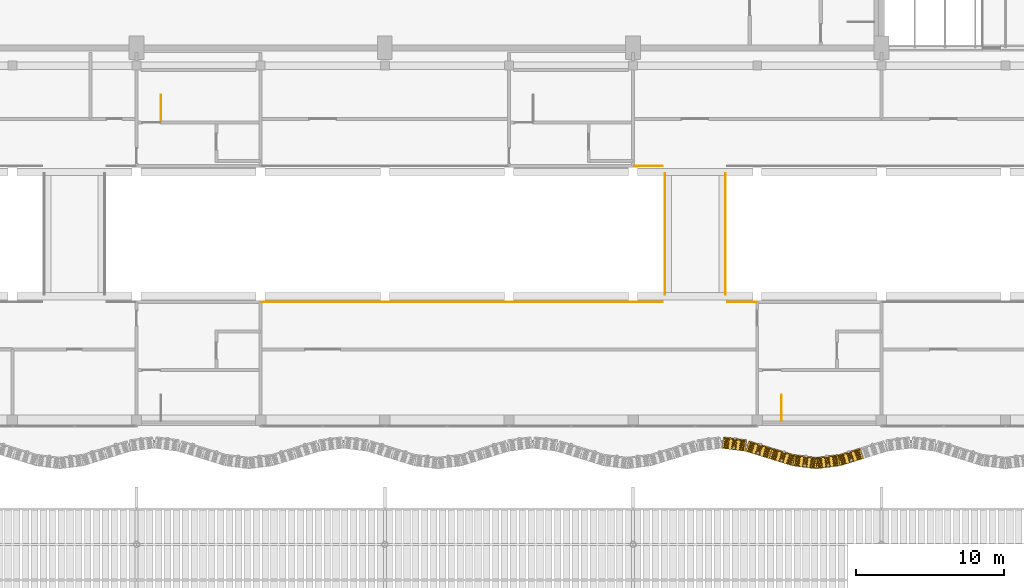
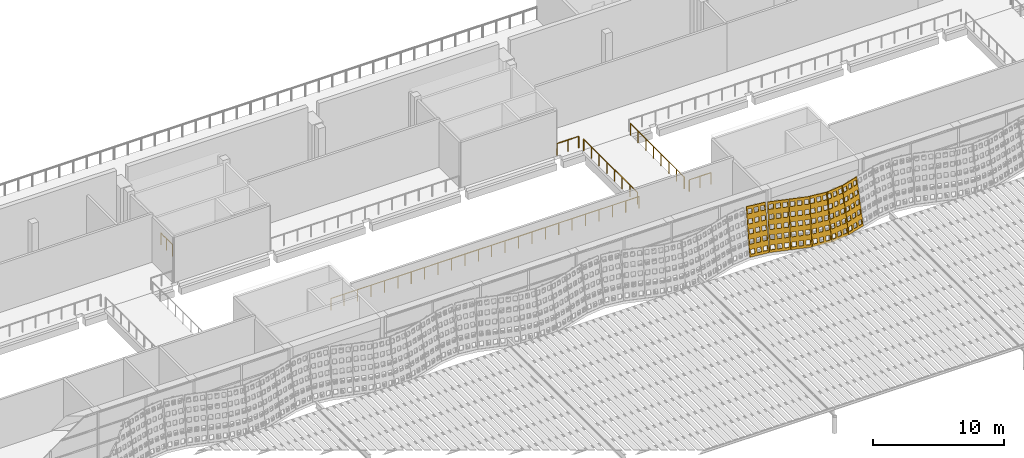
# One storey, part 140 of 162: 7 railings, 6 coverings.
"""IFC4 building model written with IfcOpenShell, lengths in metres."""

from ifc_helpers import new_model, si_unit, direction, frame, origin, origin_2d, place, context, subcontext, project, spatial, polyline, circle, outline, extrude, material, layer, layer_set, type_object, element, save


model = new_model("IFC4")

# Units and contexts
model_context = context("Model", 3, precision=1e-05, world=origin(), true_north=direction((0.0, 1.0)))
body_context = subcontext(model_context, "Body", "Model", "MODEL_VIEW")
ifc_project = project(units=[si_unit("LENGTHUNIT", "METRE"), si_unit("AREAUNIT", "SQUARE_METRE"), si_unit("VOLUMEUNIT", "CUBIC_METRE"), si_unit("PLANEANGLEUNIT", "RADIAN"), si_unit("MASSUNIT", "GRAM", prefix="KILO")], contexts=[model_context])

# Site, building, storey
site_placement = place(None, origin())
site = spatial("IfcSite", under=ifc_project, at=site_placement, CompositionType="ELEMENT")
building_placement = place(site_placement, origin())
building = spatial("IfcBuilding", under=site, at=building_placement, Name="Rain Tree Exposition and Congress Centre", CompositionType="ELEMENT")
storey_placement = place(building_placement, frame((0.0, 0.0, 6.0)))
storey = spatial("IfcBuildingStorey", under=building, at=storey_placement, Name="L01", CompositionType="ELEMENT", Elevation=6.0)

# Railings
ifc_material_1 = material(Name="Aluminium and glass balustrade", Category="aluminium")
railing_type = type_object("IfcRailingType", Name="Concourse guard 1100", PredefinedType="GUARDRAIL", material=ifc_material_1)
for number, where, name in (
    (1, (119.25, 75.550048828125, 0.0), "L01 ST-C3 top well guard 1"),
    (2, (77.25, 95.85009765625, 0.0), "L01 ST-C9 top well guard 1"),
):
    element("IfcRailing", number, at=place(storey_placement, frame(where)), inside=storey, type_object=railing_type, Name=name, PredefinedType="GUARDRAIL", context=body_context, shape_type="SweptSolid", body=[
        extrude(circle(Radius=0.02392578125, at=origin_2d()), frame((0.0, 0.0, 1.076171875), z_axis=(0.0, 1.0, 0.0), x_axis=(-1.0, 0.0, 0.0)), (0.0, 0.0, 1.0), 1.75),
        extrude(circle(Radius=0.02099609375, at=origin_2d()), origin(), (0.0, 0.0, 1.0), 1.052001953125),
        extrude(circle(Radius=0.02099609375, at=origin_2d()), frame((0.0, 0.875, 0.0)), (0.0, 0.0, 1.0), 1.052001953125),
        extrude(circle(Radius=0.02099609375, at=origin_2d()), frame((0.0, 1.75, 0.0)), (0.0, 0.0, 1.0), 1.052001953125),
    ])
railing_placement = place(storey_placement, frame((84.10009765625, 83.60009765625, 0.0)))
element("IfcRailing", 3, at=railing_placement, inside=storey, type_object=railing_type, Name="Concourse promenade guard 6", PredefinedType="GUARDRAIL", context=body_context, shape_type="SweptSolid", body=[
    extrude(circle(Radius=0.02392578125, at=origin_2d()), frame((0.0, 0.0, 1.076171875), z_axis=(1.0, 0.0, 0.0), x_axis=(0.0, 1.0, 0.0)), (0.0, 0.0, 1.0), 27.099853515625),
    extrude(circle(Radius=0.02099609375, at=origin_2d()), origin(), (0.0, 0.0, 1.0), 1.052001953125),
    extrude(circle(Radius=0.02099609375, at=origin_2d()), frame((1.17822265625, 0.0, 0.0)), (0.0, 0.0, 1.0), 1.052001953125),
    extrude(circle(Radius=0.02099609375, at=origin_2d()), frame((2.3564453125, 0.0, 0.0)), (0.0, 0.0, 1.0), 1.052001953125),
    extrude(circle(Radius=0.02099609375, at=origin_2d()), frame((3.53466796875, 0.0, 0.0)), (0.0, 0.0, 1.0), 1.052001953125),
    extrude(circle(Radius=0.02099609375, at=origin_2d()), frame((4.713134765625, 0.0, 0.0)), (0.0, 0.0, 1.0), 1.052001953125),
    extrude(circle(Radius=0.02099609375, at=origin_2d()), frame((5.891357421875, 0.0, 0.0)), (0.0, 0.0, 1.0), 1.052001953125),
    extrude(circle(Radius=0.02099609375, at=origin_2d()), frame((7.069580078125, 0.0, 0.0)), (0.0, 0.0, 1.0), 1.052001953125),
    extrude(circle(Radius=0.02099609375, at=origin_2d()), frame((8.247802734375, 0.0, 0.0)), (0.0, 0.0, 1.0), 1.052001953125),
    extrude(circle(Radius=0.02099609375, at=origin_2d()), frame((9.426025390625, 0.0, 0.0)), (0.0, 0.0, 1.0), 1.052001953125),
    extrude(circle(Radius=0.02099609375, at=origin_2d()), frame((10.604248046875, 0.0, 0.0)), (0.0, 0.0, 1.0), 1.052001953125),
    extrude(circle(Radius=0.02099609375, at=origin_2d()), frame((11.782470703125, 0.0, 0.0)), (0.0, 0.0, 1.0), 1.052001953125),
    extrude(circle(Radius=0.02099609375, at=origin_2d()), frame((12.960693359375, 0.0, 0.0)), (0.0, 0.0, 1.0), 1.052001953125),
    extrude(circle(Radius=0.02099609375, at=origin_2d()), frame((14.13916015625, 0.0, 0.0)), (0.0, 0.0, 1.0), 1.052001953125),
    extrude(circle(Radius=0.02099609375, at=origin_2d()), frame((15.3173828125, 0.0, 0.0)), (0.0, 0.0, 1.0), 1.052001953125),
    extrude(circle(Radius=0.02099609375, at=origin_2d()), frame((16.49560546875, 0.0, 0.0)), (0.0, 0.0, 1.0), 1.052001953125),
    extrude(circle(Radius=0.02099609375, at=origin_2d()), frame((17.673828125, 0.0, 0.0)), (0.0, 0.0, 1.0), 1.052001953125),
    extrude(circle(Radius=0.02099609375, at=origin_2d()), frame((18.85205078125, 0.0, 0.0)), (0.0, 0.0, 1.0), 1.052001953125),
    extrude(circle(Radius=0.02099609375, at=origin_2d()), frame((20.0302734375, 0.0, 0.0)), (0.0, 0.0, 1.0), 1.052001953125),
    extrude(circle(Radius=0.02099609375, at=origin_2d()), frame((21.20849609375, 0.0, 0.0)), (0.0, 0.0, 1.0), 1.052001953125),
    extrude(circle(Radius=0.02099609375, at=origin_2d()), frame((22.38671875, 0.0, 0.0)), (0.0, 0.0, 1.0), 1.052001953125),
    extrude(circle(Radius=0.02099609375, at=origin_2d()), frame((23.565185546875, 0.0, 0.0)), (0.0, 0.0, 1.0), 1.052001953125),
    extrude(circle(Radius=0.02099609375, at=origin_2d()), frame((24.743408203125, 0.0, 0.0)), (0.0, 0.0, 1.0), 1.052001953125),
    extrude(circle(Radius=0.02099609375, at=origin_2d()), frame((25.921630859375, 0.0, 0.0)), (0.0, 0.0, 1.0), 1.052001953125),
    extrude(circle(Radius=0.02099609375, at=origin_2d()), frame((27.099853515625, 0.0, 0.0)), (0.0, 0.0, 1.0), 1.052001953125),
])
for number, where, name in (
    (4, (115.60009765625, 83.60009765625, 0.0), "Concourse promenade guard 7"),
    (5, (109.300048828125, 92.800048828125, 0.0), "Concourse promenade guard 21"),
):
    element("IfcRailing", number, at=place(storey_placement, frame(where)), inside=storey, type_object=railing_type, Name=name, PredefinedType="GUARDRAIL", context=body_context, shape_type="SweptSolid", body=[
        extrude(circle(Radius=0.02392578125, at=origin_2d()), frame((0.0, 0.0, 1.076171875), z_axis=(1.0, 0.0, 0.0), x_axis=(0.0, 1.0, 0.0)), (0.0, 0.0, 1.0), 1.89990234375),
        extrude(circle(Radius=0.02099609375, at=origin_2d()), origin(), (0.0, 0.0, 1.0), 1.052001953125),
        extrude(circle(Radius=0.02099609375, at=origin_2d()), frame((0.949951171875, 0.0, 0.0)), (0.0, 0.0, 1.0), 1.052001953125),
        extrude(circle(Radius=0.02099609375, at=origin_2d()), frame((1.89990234375, 0.0, 0.0)), (0.0, 0.0, 1.0), 1.052001953125),
    ])
for number, where, name in (
    (6, (111.35009765625, 84.10009765625, 0.0), "Concourse bridge guard 4.1"),
    (7, (115.449951171875, 84.10009765625, 0.0), "Concourse bridge guard 4.2"),
):
    element("IfcRailing", number, at=place(storey_placement, frame(where)), inside=storey, type_object=railing_type, Name=name, PredefinedType="GUARDRAIL", context=body_context, shape_type="SweptSolid", body=[
        extrude(circle(Radius=0.02392578125, at=origin_2d()), frame((0.0, 0.0, 1.076171875), z_axis=(0.0, 1.0, 0.0), x_axis=(-1.0, 0.0, 0.0)), (0.0, 0.0, 1.0), 8.199951171875),
        extrude(circle(Radius=0.02099609375, at=origin_2d()), origin(), (0.0, 0.0, 1.0), 1.052001953125),
        extrude(circle(Radius=0.02099609375, at=origin_2d()), frame((0.0, 1.17138671875, 0.0)), (0.0, 0.0, 1.0), 1.052001953125),
        extrude(circle(Radius=0.02099609375, at=origin_2d()), frame((0.0, 2.3427734375, 0.0)), (0.0, 0.0, 1.0), 1.052001953125),
        extrude(circle(Radius=0.02099609375, at=origin_2d()), frame((0.0, 3.51416015625, 0.0)), (0.0, 0.0, 1.0), 1.052001953125),
        extrude(circle(Radius=0.02099609375, at=origin_2d()), frame((0.0, 4.685791015625, 0.0)), (0.0, 0.0, 1.0), 1.052001953125),
        extrude(circle(Radius=0.02099609375, at=origin_2d()), frame((0.0, 5.857177734375, 0.0)), (0.0, 0.0, 1.0), 1.052001953125),
        extrude(circle(Radius=0.02099609375, at=origin_2d()), frame((0.0, 7.028564453125, 0.0)), (0.0, 0.0, 1.0), 1.052001953125),
        extrude(circle(Radius=0.02099609375, at=origin_2d()), frame((0.0, 8.199951171875, 0.0)), (0.0, 0.0, 1.0), 1.052001953125),
    ])

# Coverings
ifc_material_2 = material(Name="Perforated terracotta", Category="masonry")
ifc_layer = layer(ifc_material_2, 0.080078125)
ifc_layer_set = layer_set([ifc_layer], Name="Perforated terracotta")
covering_type = type_object("IfcCoveringType", Name="Terracotta screen 80", PredefinedType="CLADDING", material=ifc_layer_set)
covering_1_placement = place(storey_placement, frame((115.2001953125, 73.701904296875, 0.01318359375), z_axis=(0.125342414455, 0.978282259159, -0.165085131233), x_axis=(-0.991891686382, 0.127086122318, 0.0)))
element("IfcCovering", 8, at=covering_1_placement, inside=storey, type_object=covering_type, Name="concourse/screen/L01/073", PredefinedType="CLADDING", context=body_context, shape_type="SweptSolid", body=[
    extrude(outline(polyline([(-1.59814453125, 0.0), (-1.59814453125, 4.295166015625), (-0.014892578125, 4.295166015625), (-0.014892578125, 0.0), (-1.59814453125, 0.0)]), holes=[polyline([(-0.115234375, 0.2216796875), (-0.115234375, 0.63720703125), (-0.4423828125, 0.63720703125), (-0.4423828125, 0.2216796875), (-0.115234375, 0.2216796875)]), polyline([(-0.115234375, 1.080810546875), (-0.115234375, 1.496337890625), (-0.4423828125, 1.496337890625), (-0.4423828125, 1.080810546875), (-0.115234375, 1.080810546875)]), polyline([(-0.115234375, 1.939697265625), (-0.115234375, 2.35546875), (-0.4423828125, 2.35546875), (-0.4423828125, 1.939697265625), (-0.115234375, 1.939697265625)]), polyline([(-0.115234375, 2.798583984375), (-0.115234375, 3.21435546875), (-0.4423828125, 3.21435546875), (-0.4423828125, 2.798583984375), (-0.115234375, 2.798583984375)]), polyline([(-0.115234375, 3.65771484375), (-0.115234375, 4.073486328125), (-0.4423828125, 4.073486328125), (-0.4423828125, 3.65771484375), (-0.115234375, 3.65771484375)]), polyline([(-0.64306640625, 0.2216796875), (-0.64306640625, 0.63720703125), (-0.97021484375, 0.63720703125), (-0.97021484375, 0.2216796875), (-0.64306640625, 0.2216796875)]), polyline([(-0.64306640625, 1.080810546875), (-0.64306640625, 1.496337890625), (-0.97021484375, 1.496337890625), (-0.97021484375, 1.080810546875), (-0.64306640625, 1.080810546875)]), polyline([(-0.64306640625, 1.939697265625), (-0.64306640625, 2.35546875), (-0.97021484375, 2.35546875), (-0.97021484375, 1.939697265625), (-0.64306640625, 1.939697265625)]), polyline([(-0.64306640625, 2.798583984375), (-0.64306640625, 3.21435546875), (-0.97021484375, 3.21435546875), (-0.97021484375, 2.798583984375), (-0.64306640625, 2.798583984375)]), polyline([(-0.64306640625, 3.65771484375), (-0.64306640625, 4.073486328125), (-0.97021484375, 4.073486328125), (-0.97021484375, 3.65771484375), (-0.64306640625, 3.65771484375)]), polyline([(-1.170654296875, 0.2216796875), (-1.170654296875, 0.63720703125), (-1.497802734375, 0.63720703125), (-1.497802734375, 0.2216796875), (-1.170654296875, 0.2216796875)]), polyline([(-1.170654296875, 1.080810546875), (-1.170654296875, 1.496337890625), (-1.497802734375, 1.496337890625), (-1.497802734375, 1.080810546875), (-1.170654296875, 1.080810546875)]), polyline([(-1.170654296875, 1.939697265625), (-1.170654296875, 2.35546875), (-1.497802734375, 2.35546875), (-1.497802734375, 1.939697265625), (-1.170654296875, 1.939697265625)]), polyline([(-1.170654296875, 2.798583984375), (-1.170654296875, 3.21435546875), (-1.497802734375, 3.21435546875), (-1.497802734375, 2.798583984375), (-1.170654296875, 2.798583984375)]), polyline([(-1.170654296875, 3.65771484375), (-1.170654296875, 4.073486328125), (-1.497802734375, 4.073486328125), (-1.497802734375, 3.65771484375), (-1.170654296875, 3.65771484375)])]), origin(), (0.0, 0.0, 1.0), 0.079833984375),
])
covering_2_placement = place(storey_placement, frame((116.800537109375, 73.49658203125, 0.0126953125), z_axis=(0.292932171154, 0.942875425902, -0.158671592708), x_axis=(-0.954973588716, 0.296690823679, 0.0)))
element("IfcCovering", 9, at=covering_2_placement, inside=storey, type_object=covering_type, Name="concourse/screen/L01/074", PredefinedType="CLADDING", context=body_context, shape_type="SweptSolid", body=[
    extrude(outline(polyline([(-1.659912109375, 0.0), (-1.659912109375, 4.29150390625), (-0.014892578125, 4.29150390625), (-0.014892578125, 0.0), (-1.659912109375, 0.0)]), holes=[polyline([(-0.119140625, 0.221435546875), (-0.119140625, 0.63671875), (-0.458984375, 0.63671875), (-0.458984375, 0.221435546875), (-0.119140625, 0.221435546875)]), polyline([(-0.119140625, 1.079833984375), (-0.119140625, 1.4951171875), (-0.458984375, 1.4951171875), (-0.458984375, 1.079833984375), (-0.119140625, 1.079833984375)]), polyline([(-0.119140625, 1.93798828125), (-0.119140625, 2.353271484375), (-0.458984375, 2.353271484375), (-0.458984375, 1.93798828125), (-0.119140625, 1.93798828125)]), polyline([(-0.119140625, 2.79638671875), (-0.119140625, 3.211669921875), (-0.458984375, 3.211669921875), (-0.458984375, 2.79638671875), (-0.119140625, 2.79638671875)]), polyline([(-0.119140625, 3.654541015625), (-0.119140625, 4.06982421875), (-0.458984375, 4.06982421875), (-0.458984375, 3.654541015625), (-0.119140625, 3.654541015625)]), polyline([(-0.66748046875, 0.221435546875), (-0.66748046875, 0.63671875), (-1.00732421875, 0.63671875), (-1.00732421875, 0.221435546875), (-0.66748046875, 0.221435546875)]), polyline([(-0.66748046875, 1.079833984375), (-0.66748046875, 1.4951171875), (-1.00732421875, 1.4951171875), (-1.00732421875, 1.079833984375), (-0.66748046875, 1.079833984375)]), polyline([(-0.66748046875, 1.93798828125), (-0.66748046875, 2.353271484375), (-1.00732421875, 2.353271484375), (-1.00732421875, 1.93798828125), (-0.66748046875, 1.93798828125)]), polyline([(-0.66748046875, 2.79638671875), (-0.66748046875, 3.211669921875), (-1.00732421875, 3.211669921875), (-1.00732421875, 2.79638671875), (-0.66748046875, 2.79638671875)]), polyline([(-0.66748046875, 3.654541015625), (-0.66748046875, 4.06982421875), (-1.00732421875, 4.06982421875), (-1.00732421875, 3.654541015625), (-0.66748046875, 3.654541015625)]), polyline([(-1.2158203125, 0.221435546875), (-1.2158203125, 0.63671875), (-1.5556640625, 0.63671875), (-1.5556640625, 0.221435546875), (-1.2158203125, 0.221435546875)]), polyline([(-1.2158203125, 1.079833984375), (-1.2158203125, 1.4951171875), (-1.5556640625, 1.4951171875), (-1.5556640625, 1.079833984375), (-1.2158203125, 1.079833984375)]), polyline([(-1.2158203125, 1.93798828125), (-1.2158203125, 2.353271484375), (-1.5556640625, 2.353271484375), (-1.5556640625, 1.93798828125), (-1.2158203125, 1.93798828125)]), polyline([(-1.2158203125, 2.79638671875), (-1.2158203125, 3.211669921875), (-1.5556640625, 3.211669921875), (-1.5556640625, 2.79638671875), (-1.2158203125, 2.79638671875)]), polyline([(-1.2158203125, 3.654541015625), (-1.2158203125, 4.06982421875), (-1.5556640625, 4.06982421875), (-1.5556640625, 3.654541015625), (-1.2158203125, 3.654541015625)])]), origin(), (0.0, 0.0, 1.0), 0.080078125),
])
covering_3_placement = place(storey_placement, frame((118.400634765625, 73.001708984375, 0.0126953125), z_axis=(0.290138898064, 0.943714942124, -0.158812870519), x_axis=(-0.955845867297, 0.293868470528, 0.0)))
element("IfcCovering", 10, at=covering_3_placement, inside=storey, type_object=covering_type, Name="concourse/screen/L01/075", PredefinedType="CLADDING", context=body_context, shape_type="SweptSolid", body=[
    extrude(outline(polyline([(-1.65283203125, 0.0), (-1.65283203125, 4.29150390625), (-0.014892578125, 4.29150390625), (-0.014892578125, 0.0), (-1.65283203125, 0.0)]), holes=[polyline([(-0.11865234375, 0.221435546875), (-0.11865234375, 0.63671875), (-0.457275390625, 0.63671875), (-0.457275390625, 0.221435546875), (-0.11865234375, 0.221435546875)]), polyline([(-0.11865234375, 1.079833984375), (-0.11865234375, 1.4951171875), (-0.457275390625, 1.4951171875), (-0.457275390625, 1.079833984375), (-0.11865234375, 1.079833984375)]), polyline([(-0.11865234375, 1.93798828125), (-0.11865234375, 2.353271484375), (-0.457275390625, 2.353271484375), (-0.457275390625, 1.93798828125), (-0.11865234375, 1.93798828125)]), polyline([(-0.11865234375, 2.79638671875), (-0.11865234375, 3.211669921875), (-0.457275390625, 3.211669921875), (-0.457275390625, 2.79638671875), (-0.11865234375, 2.79638671875)]), polyline([(-0.11865234375, 3.654541015625), (-0.11865234375, 4.06982421875), (-0.457275390625, 4.06982421875), (-0.457275390625, 3.654541015625), (-0.11865234375, 3.654541015625)]), polyline([(-0.664794921875, 0.221435546875), (-0.664794921875, 0.63671875), (-1.003173828125, 0.63671875), (-1.003173828125, 0.221435546875), (-0.664794921875, 0.221435546875)]), polyline([(-0.664794921875, 1.079833984375), (-0.664794921875, 1.4951171875), (-1.003173828125, 1.4951171875), (-1.003173828125, 1.079833984375), (-0.664794921875, 1.079833984375)]), polyline([(-0.664794921875, 1.93798828125), (-0.664794921875, 2.353271484375), (-1.003173828125, 2.353271484375), (-1.003173828125, 1.93798828125), (-0.664794921875, 1.93798828125)]), polyline([(-0.664794921875, 2.79638671875), (-0.664794921875, 3.211669921875), (-1.003173828125, 3.211669921875), (-1.003173828125, 2.79638671875), (-0.664794921875, 2.79638671875)]), polyline([(-0.664794921875, 3.654541015625), (-0.664794921875, 4.06982421875), (-1.003173828125, 4.06982421875), (-1.003173828125, 3.654541015625), (-0.664794921875, 3.654541015625)]), polyline([(-1.210693359375, 0.221435546875), (-1.210693359375, 0.63671875), (-1.54931640625, 0.63671875), (-1.54931640625, 0.221435546875), (-1.210693359375, 0.221435546875)]), polyline([(-1.210693359375, 1.079833984375), (-1.210693359375, 1.4951171875), (-1.54931640625, 1.4951171875), (-1.54931640625, 1.079833984375), (-1.210693359375, 1.079833984375)]), polyline([(-1.210693359375, 1.93798828125), (-1.210693359375, 2.353271484375), (-1.54931640625, 2.353271484375), (-1.54931640625, 1.93798828125), (-1.210693359375, 1.93798828125)]), polyline([(-1.210693359375, 2.79638671875), (-1.210693359375, 3.211669921875), (-1.54931640625, 3.211669921875), (-1.54931640625, 2.79638671875), (-1.210693359375, 2.79638671875)]), polyline([(-1.210693359375, 3.654541015625), (-1.210693359375, 4.06982421875), (-1.54931640625, 4.06982421875), (-1.54931640625, 3.654541015625), (-1.210693359375, 3.654541015625)])]), origin(), (0.0, 0.0, 1.0), 0.079833984375),
])
covering_4_placement = place(storey_placement, frame((120.000244140625, 72.5068359375, 0.01318359375), z_axis=(0.124968640969, 0.978413018317, -0.164592844203), x_axis=(-0.991941518713, 0.126696580272, 0.0)))
element("IfcCovering", 11, at=covering_4_placement, inside=storey, type_object=covering_type, Name="concourse/screen/L01/076", PredefinedType="CLADDING", context=body_context, shape_type="SweptSolid", body=[
    extrude(outline(polyline([(-1.587890625, 0.0), (-1.587890625, 4.295166015625), (-0.02197265625, 4.295166015625), (-0.02197265625, 0.0), (-1.587890625, 0.0)]), holes=[polyline([(-0.12109375, 0.2216796875), (-0.12109375, 0.63720703125), (-0.444580078125, 0.63720703125), (-0.444580078125, 0.2216796875), (-0.12109375, 0.2216796875)]), polyline([(-0.12109375, 1.080810546875), (-0.12109375, 1.496337890625), (-0.444580078125, 1.496337890625), (-0.444580078125, 1.080810546875), (-0.12109375, 1.080810546875)]), polyline([(-0.12109375, 1.939697265625), (-0.12109375, 2.35546875), (-0.444580078125, 2.35546875), (-0.444580078125, 1.939697265625), (-0.12109375, 1.939697265625)]), polyline([(-0.12109375, 2.798583984375), (-0.12109375, 3.21435546875), (-0.444580078125, 3.21435546875), (-0.444580078125, 2.798583984375), (-0.12109375, 2.798583984375)]), polyline([(-0.12109375, 3.65771484375), (-0.12109375, 4.073486328125), (-0.444580078125, 4.073486328125), (-0.444580078125, 3.65771484375), (-0.12109375, 3.65771484375)]), polyline([(-0.64306640625, 0.2216796875), (-0.64306640625, 0.63720703125), (-0.966796875, 0.63720703125), (-0.966796875, 0.2216796875), (-0.64306640625, 0.2216796875)]), polyline([(-0.64306640625, 1.080810546875), (-0.64306640625, 1.496337890625), (-0.966796875, 1.496337890625), (-0.966796875, 1.080810546875), (-0.64306640625, 1.080810546875)]), polyline([(-0.64306640625, 1.939697265625), (-0.64306640625, 2.35546875), (-0.966796875, 2.35546875), (-0.966796875, 1.939697265625), (-0.64306640625, 1.939697265625)]), polyline([(-0.64306640625, 2.798583984375), (-0.64306640625, 3.21435546875), (-0.966796875, 3.21435546875), (-0.966796875, 2.798583984375), (-0.64306640625, 2.798583984375)]), polyline([(-0.64306640625, 3.65771484375), (-0.64306640625, 4.073486328125), (-0.966796875, 4.073486328125), (-0.966796875, 3.65771484375), (-0.64306640625, 3.65771484375)]), polyline([(-1.1650390625, 0.2216796875), (-1.1650390625, 0.63720703125), (-1.48876953125, 0.63720703125), (-1.48876953125, 0.2216796875), (-1.1650390625, 0.2216796875)]), polyline([(-1.1650390625, 1.080810546875), (-1.1650390625, 1.496337890625), (-1.48876953125, 1.496337890625), (-1.48876953125, 1.080810546875), (-1.1650390625, 1.080810546875)]), polyline([(-1.1650390625, 1.939697265625), (-1.1650390625, 2.35546875), (-1.48876953125, 2.35546875), (-1.48876953125, 1.939697265625), (-1.1650390625, 1.939697265625)]), polyline([(-1.1650390625, 2.798583984375), (-1.1650390625, 3.21435546875), (-1.48876953125, 3.21435546875), (-1.48876953125, 2.798583984375), (-1.1650390625, 2.798583984375)]), polyline([(-1.1650390625, 3.65771484375), (-1.1650390625, 4.073486328125), (-1.48876953125, 4.073486328125), (-1.48876953125, 3.65771484375), (-1.1650390625, 3.65771484375)])]), origin(), (0.0, 0.0, 1.0), 0.080078125),
])
covering_5_placement = place(storey_placement, frame((121.599609375, 72.302001953125, 0.01318359375), z_axis=(-0.125342414455, 0.978282259159, -0.165085131233), x_axis=(-0.991891686382, -0.127086122318, 0.0)))
element("IfcCovering", 12, at=covering_5_placement, inside=storey, type_object=covering_type, Name="concourse/screen/L01/077", PredefinedType="CLADDING", context=body_context, shape_type="SweptSolid", body=[
    extrude(outline(polyline([(-1.59130859375, 0.0), (-1.59130859375, 4.295166015625), (-0.025146484375, 4.295166015625), (-0.025146484375, 0.0), (-1.59130859375, 0.0)]), holes=[polyline([(-0.12451171875, 0.2216796875), (-0.12451171875, 0.63720703125), (-0.447998046875, 0.63720703125), (-0.447998046875, 0.2216796875), (-0.12451171875, 0.2216796875)]), polyline([(-0.12451171875, 1.080810546875), (-0.12451171875, 1.496337890625), (-0.447998046875, 1.496337890625), (-0.447998046875, 1.080810546875), (-0.12451171875, 1.080810546875)]), polyline([(-0.12451171875, 1.939697265625), (-0.12451171875, 2.35546875), (-0.447998046875, 2.35546875), (-0.447998046875, 1.939697265625), (-0.12451171875, 1.939697265625)]), polyline([(-0.12451171875, 2.798583984375), (-0.12451171875, 3.21435546875), (-0.447998046875, 3.21435546875), (-0.447998046875, 2.798583984375), (-0.12451171875, 2.798583984375)]), polyline([(-0.12451171875, 3.65771484375), (-0.12451171875, 4.073486328125), (-0.447998046875, 4.073486328125), (-0.447998046875, 3.65771484375), (-0.12451171875, 3.65771484375)]), polyline([(-0.646484375, 0.2216796875), (-0.646484375, 0.63720703125), (-0.969970703125, 0.63720703125), (-0.969970703125, 0.2216796875), (-0.646484375, 0.2216796875)]), polyline([(-0.646484375, 1.080810546875), (-0.646484375, 1.496337890625), (-0.969970703125, 1.496337890625), (-0.969970703125, 1.080810546875), (-0.646484375, 1.080810546875)]), polyline([(-0.646484375, 1.939697265625), (-0.646484375, 2.35546875), (-0.969970703125, 2.35546875), (-0.969970703125, 1.939697265625), (-0.646484375, 1.939697265625)]), polyline([(-0.646484375, 2.798583984375), (-0.646484375, 3.21435546875), (-0.969970703125, 3.21435546875), (-0.969970703125, 2.798583984375), (-0.646484375, 2.798583984375)]), polyline([(-0.646484375, 3.65771484375), (-0.646484375, 4.073486328125), (-0.969970703125, 4.073486328125), (-0.969970703125, 3.65771484375), (-0.646484375, 3.65771484375)]), polyline([(-1.16845703125, 0.2216796875), (-1.16845703125, 0.63720703125), (-1.491943359375, 0.63720703125), (-1.491943359375, 0.2216796875), (-1.16845703125, 0.2216796875)]), polyline([(-1.16845703125, 1.080810546875), (-1.16845703125, 1.496337890625), (-1.491943359375, 1.496337890625), (-1.491943359375, 1.080810546875), (-1.16845703125, 1.080810546875)]), polyline([(-1.16845703125, 1.939697265625), (-1.16845703125, 2.35546875), (-1.491943359375, 2.35546875), (-1.491943359375, 1.939697265625), (-1.16845703125, 1.939697265625)]), polyline([(-1.16845703125, 2.798583984375), (-1.16845703125, 3.21435546875), (-1.491943359375, 3.21435546875), (-1.491943359375, 2.798583984375), (-1.16845703125, 2.798583984375)]), polyline([(-1.16845703125, 3.65771484375), (-1.16845703125, 4.073486328125), (-1.491943359375, 4.073486328125), (-1.491943359375, 3.65771484375), (-1.16845703125, 3.65771484375)])]), origin(), (0.0, 0.0, 1.0), 0.079833984375),
])
covering_6_placement = place(storey_placement, frame((123.199462890625, 72.506591796875, 0.0126953125), z_axis=(-0.292932171154, 0.942875425902, -0.158671592708), x_axis=(-0.954973588716, -0.296690823679, 0.0)))
element("IfcCovering", 13, at=covering_6_placement, inside=storey, type_object=covering_type, Name="concourse/screen/L01/078", PredefinedType="CLADDING", context=body_context, shape_type="SweptSolid", body=[
    extrude(outline(polyline([(-1.659912109375, 0.0), (-1.659912109375, 4.29150390625), (-0.02197265625, 4.29150390625), (-0.02197265625, 0.0), (-1.659912109375, 0.0)]), holes=[polyline([(-0.125732421875, 0.221435546875), (-0.125732421875, 0.63671875), (-0.464111328125, 0.63671875), (-0.464111328125, 0.221435546875), (-0.125732421875, 0.221435546875)]), polyline([(-0.125732421875, 1.079833984375), (-0.125732421875, 1.4951171875), (-0.464111328125, 1.4951171875), (-0.464111328125, 1.079833984375), (-0.125732421875, 1.079833984375)]), polyline([(-0.125732421875, 1.93798828125), (-0.125732421875, 2.353271484375), (-0.464111328125, 2.353271484375), (-0.464111328125, 1.93798828125), (-0.125732421875, 1.93798828125)]), polyline([(-0.125732421875, 2.79638671875), (-0.125732421875, 3.211669921875), (-0.464111328125, 3.211669921875), (-0.464111328125, 2.79638671875), (-0.125732421875, 2.79638671875)]), polyline([(-0.125732421875, 3.654541015625), (-0.125732421875, 4.06982421875), (-0.464111328125, 4.06982421875), (-0.464111328125, 3.654541015625), (-0.125732421875, 3.654541015625)]), polyline([(-0.671630859375, 0.221435546875), (-0.671630859375, 0.63671875), (-1.010009765625, 0.63671875), (-1.010009765625, 0.221435546875), (-0.671630859375, 0.221435546875)]), polyline([(-0.671630859375, 1.079833984375), (-0.671630859375, 1.4951171875), (-1.010009765625, 1.4951171875), (-1.010009765625, 1.079833984375), (-0.671630859375, 1.079833984375)]), polyline([(-0.671630859375, 1.93798828125), (-0.671630859375, 2.353271484375), (-1.010009765625, 2.353271484375), (-1.010009765625, 1.93798828125), (-0.671630859375, 1.93798828125)]), polyline([(-0.671630859375, 2.79638671875), (-0.671630859375, 3.211669921875), (-1.010009765625, 3.211669921875), (-1.010009765625, 2.79638671875), (-0.671630859375, 2.79638671875)]), polyline([(-0.671630859375, 3.654541015625), (-0.671630859375, 4.06982421875), (-1.010009765625, 4.06982421875), (-1.010009765625, 3.654541015625), (-0.671630859375, 3.654541015625)]), polyline([(-1.217529296875, 0.221435546875), (-1.217529296875, 0.63671875), (-1.55615234375, 0.63671875), (-1.55615234375, 0.221435546875), (-1.217529296875, 0.221435546875)]), polyline([(-1.217529296875, 1.079833984375), (-1.217529296875, 1.4951171875), (-1.55615234375, 1.4951171875), (-1.55615234375, 1.079833984375), (-1.217529296875, 1.079833984375)]), polyline([(-1.217529296875, 1.93798828125), (-1.217529296875, 2.353271484375), (-1.55615234375, 2.353271484375), (-1.55615234375, 1.93798828125), (-1.217529296875, 1.93798828125)]), polyline([(-1.217529296875, 2.79638671875), (-1.217529296875, 3.211669921875), (-1.55615234375, 3.211669921875), (-1.55615234375, 2.79638671875), (-1.217529296875, 2.79638671875)]), polyline([(-1.217529296875, 3.654541015625), (-1.217529296875, 4.06982421875), (-1.55615234375, 4.06982421875), (-1.55615234375, 3.654541015625), (-1.217529296875, 3.654541015625)])]), origin(), (0.0, 0.0, 1.0), 0.080078125),
])

save(model, "model.ifc")
